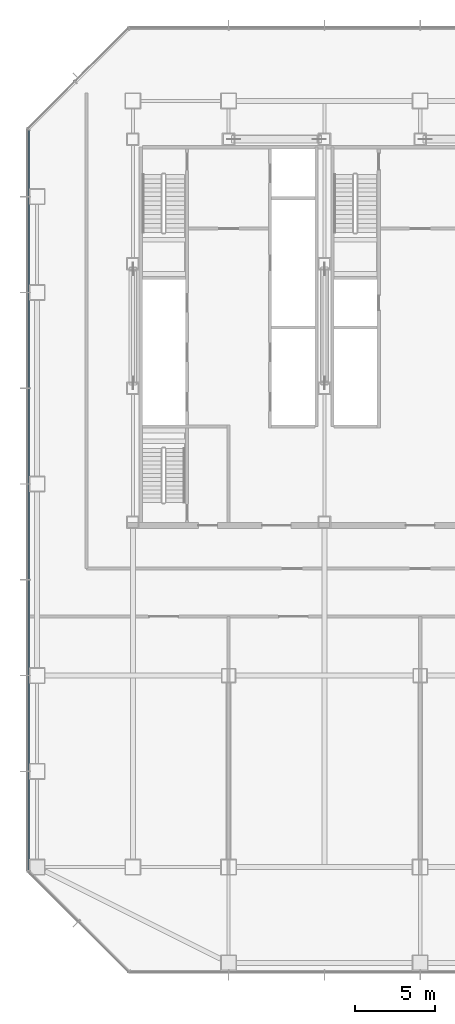
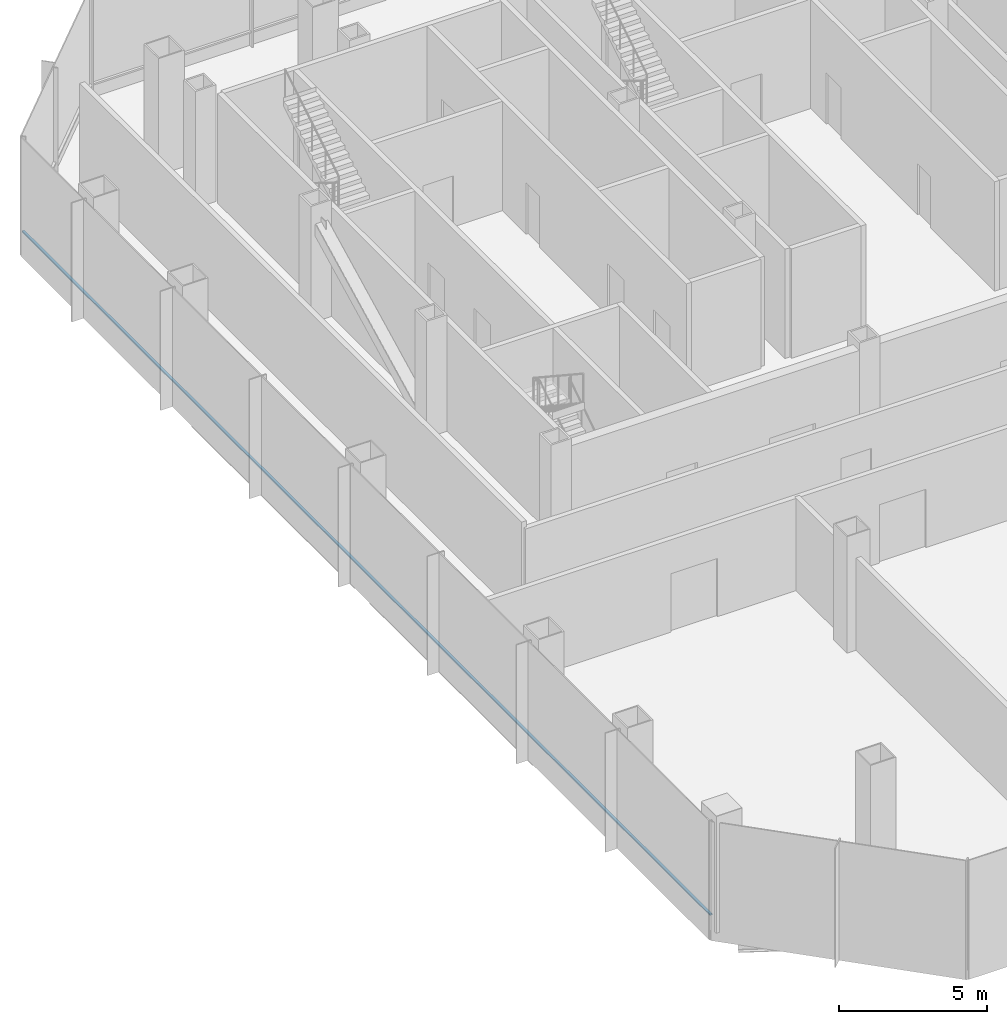
# One storey, part 5 of 34: 1 member, 1 element without a shape of its own.
"""IFC4 building model written with IfcOpenShell, lengths in metres."""

from ifc_helpers import new_model, si_unit, direction, frame, origin, origin_2d, place, context, subcontext, project, spatial, rectangle, extrude, material, material_profile, profile_set, type_object, element, aggregate, save


model = new_model("IFC4")

# Units and contexts
model_context = context("Model", 3, precision=1e-05, world=origin(), true_north=direction((0.0, 1.0)))
body_context = subcontext(model_context, "Body", "Model", "MODEL_VIEW")
ifc_project = project(units=[si_unit("LENGTHUNIT", "METRE"), si_unit("AREAUNIT", "SQUARE_METRE"), si_unit("VOLUMEUNIT", "CUBIC_METRE"), si_unit("PLANEANGLEUNIT", "RADIAN"), si_unit("MASSUNIT", "GRAM", prefix="KILO")], contexts=[model_context])

# Site, building, storey
site_placement = place(None, origin())
site = spatial("IfcSite", under=ifc_project, at=site_placement, CompositionType="ELEMENT")
building_placement = place(site_placement, origin())
building = spatial("IfcBuilding", under=site, at=building_placement, Name="Sorahane Residences", CompositionType="ELEMENT")
storey_placement = place(building_placement, frame((0.0, 0.0, 39.60009765625)))
storey = spatial("IfcBuildingStorey", under=building, at=storey_placement, Name="L06", CompositionType="ELEMENT", Elevation=39.60009765625)

# Curtain wall, member
ifc_material_1 = material(Name="Dark low-e glass and black anodised aluminium", Category="aluminium")
curtain_wall_type = type_object("IfcCurtainWallType", Name="Curtain wall CW-3 Podium unitised wall", PredefinedType="NOTDEFINED", material=ifc_material_1)
curtain_wall_placement = place(storey_placement, origin())
curtain_wall = element("IfcCurtainWall", 1, at=curtain_wall_placement, inside=storey, type_object=curtain_wall_type, Name="CW-3 curtain wall L06 W1", PredefinedType="NOTDEFINED")
ifc_material_2 = material(Name="Black anodised aluminium", Category="aluminium")
ifc_material_profile = material_profile(ifc_material_2, rectangle(XDim=0.10009765625, YDim=0.06005859375, at=origin_2d()), Name="Curtain wall transom CW-3 black anodised aluminium 60x100")
ifc_profile_set = profile_set([ifc_material_profile], Name="Black anodised aluminium")
member_type = type_object("IfcMemberType", Name="Curtain wall transom CW-3 black anodised aluminium 60x100", PredefinedType="USERDEFINED", material=ifc_profile_set)
member_placement = place(storey_placement, frame((-0.530029296875, 46.198486328125, 0.599853515625), z_axis=(0.0, -1.0, 0.0), x_axis=(1.0, 0.0, 0.0)))
member = element("IfcMember", 2, at=member_placement, type_object=member_type, Name="CW-3 transom L06 W1", ObjectType="TRANSOM", PredefinedType="USERDEFINED", context=body_context, shape_type="SweptSolid", body=[
    extrude(rectangle(XDim=0.10009765625, YDim=0.06005859375, at=origin_2d()), origin(), (0.0, 0.0, 1.0), 46.39697265625),
])
aggregate(curtain_wall, [member])

save(model, "model.ifc")
